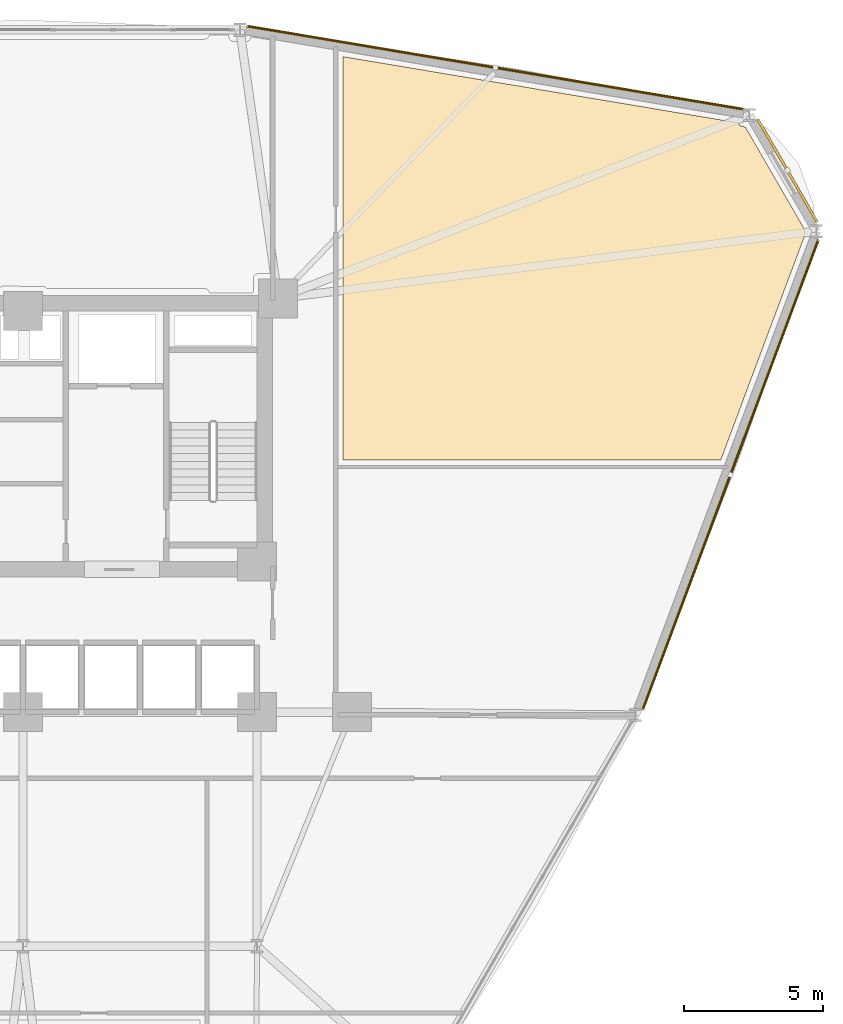
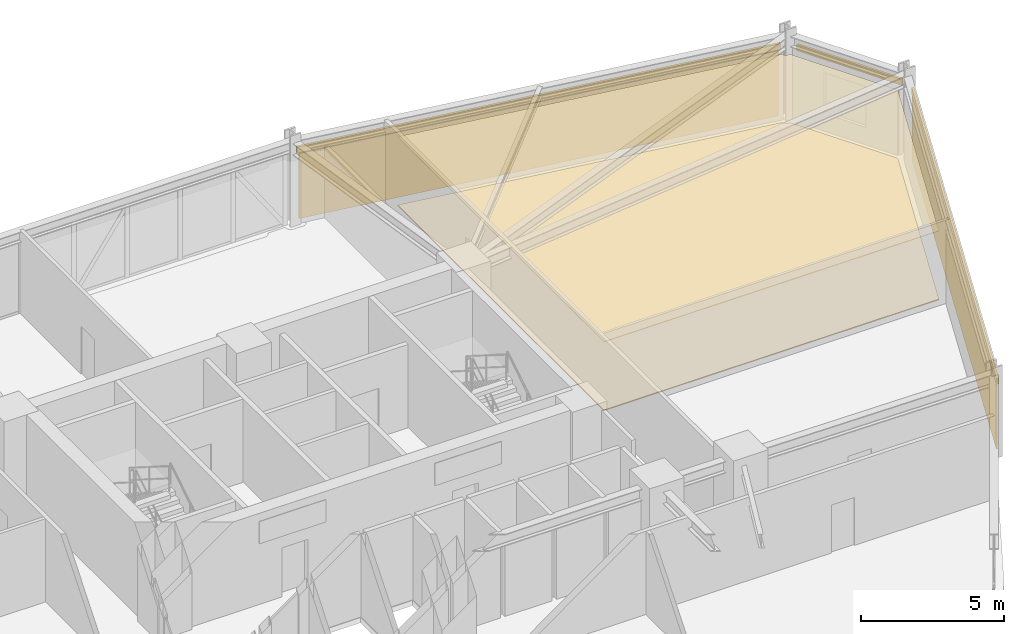
# One storey, part 22 of 22: 4 coverings, 3 shading devices.
"""IFC4 building model written with IfcOpenShell, lengths in metres."""

from ifc_helpers import new_model, si_unit, derived_unit, direction, frame, origin, origin_2d, place, context, subcontext, project, spatial, polyline, hollow_rectangle, outline, extrude, source, transform, mapped, material, layer, layer_set, material_profile, profile_set, type_object, element, save


model = new_model("IFC4")

# Units and contexts
model_context = context("Model", 3, precision=1e-05, world=origin(), true_north=direction((0.0, 1.0)))
body_context = subcontext(model_context, "Body", "Model", "MODEL_VIEW")
ifc_project = project(units=[si_unit("LENGTHUNIT", "METRE"), si_unit("AREAUNIT", "SQUARE_METRE"), si_unit("VOLUMEUNIT", "CUBIC_METRE"), si_unit("PLANEANGLEUNIT", "RADIAN"), si_unit("MASSUNIT", "GRAM", prefix="KILO"), derived_unit("THERMALTRANSMITTANCEUNIT", [(si_unit("POWERUNIT", "WATT"), 1), (si_unit("LENGTHUNIT", "METRE"), -2), (si_unit("THERMODYNAMICTEMPERATUREUNIT", "KELVIN"), -1)])], contexts=[model_context])

# Site, building, storey
site_placement = place(None, origin())
site = spatial("IfcSite", under=ifc_project, at=site_placement, CompositionType="ELEMENT")
building_placement = place(site_placement, origin())
building = spatial("IfcBuilding", under=site, at=building_placement, Name="Korsvarv Bourse and Concert Hall", CompositionType="ELEMENT")
storey_placement = place(building_placement, frame((0.0, 0.0, 55.199951171875)))
storey = spatial("IfcBuildingStorey", under=building, at=storey_placement, Name="L13", CompositionType="ELEMENT", Elevation=55.199951171875)

# Coverings
ifc_material_1 = material(Name="Perforated mineral-wool and birch acoustic baffle ceiling", Category="wood")
ifc_layer_1 = layer(ifc_material_1, 0.02490234375)
ifc_layer_set_1 = layer_set([ifc_layer_1], Name="Perforated mineral-wool and birch acoustic baffle ceiling")
covering_type_1 = type_object("IfcCoveringType", Name="COV-CEIL-1", PredefinedType="CEILING", material=ifc_layer_set_1)
covering_1_placement = place(storey_placement, frame((0.0, 0.0, 2.93994140625)))
element("IfcCovering", 1, at=covering_1_placement, inside=storey, type_object=covering_type_1, Name="L13 acoustic baffle ceiling 1", PredefinedType="CEILING", context=body_context, shape_type="SweptSolid", body=[
    extrude(outline(polyline([(47.47998046875, 55.92626953125), (61.672119140625, 53.55029296875), (61.681640625, 53.520751953125), (61.69921875, 53.489013671875), (61.722900390625, 53.46142578125), (61.75146484375, 53.439208984375), (61.783935546875, 53.4228515625), (61.819091796875, 53.413818359375), (61.919921875, 53.4072265625), (64.072509765625, 49.6787109375), (64.072509765625, 49.55810546875), (61.041748046875, 41.449951171875), (47.47998046875, 41.449951171875), (47.47998046875, 55.92626953125)])), origin(), (0.0, 0.0, 1.0), 0.025146484375),
])
ifc_material_2 = material(Name="Warm iron-oxide extruded terracotta rainscreen tile", Category="ceramic")
ifc_layer_2 = layer(ifc_material_2, 0.044921875)
ifc_layer_set_2 = layer_set([ifc_layer_2], Name="Warm iron-oxide extruded terracotta rainscreen tile")
covering_type_2 = type_object("IfcCoveringType", Name="COV-CLD-TC", PredefinedType="CLADDING", material=ifc_layer_set_2)
covering_2_placement = place(storey_placement, origin())
element("IfcCovering", 2, at=covering_2_placement, inside=storey, type_object=covering_type_2, Name="L13 fluted terracotta cladding panel EW-L13-B02", PredefinedType="CLADDING", context=body_context, shape_type="SweptSolid", body=[
    extrude(outline(polyline([(61.795654296875, 54.01123046875), (44.102783203125, 56.97314453125), (44.1103515625, 57.017578125), (61.802978515625, 54.055419921875), (61.795654296875, 54.01123046875)])), origin(), (0.0, 0.0, 1.0), 2.7900390625),
])
covering_3_placement = place(storey_placement, origin())
element("IfcCovering", 3, at=covering_3_placement, inside=storey, type_object=covering_type_2, Name="L13 fluted terracotta cladding panel EW-L13-B12", PredefinedType="CLADDING", context=body_context, shape_type="SweptSolid", body=[
    extrude(outline(polyline([(58.228271484375, 32.566650390625), (64.482421875, 49.298095703125), (64.524658203125, 49.282470703125), (58.270263671875, 32.55078125), (58.228271484375, 32.566650390625)])), origin(), (0.0, 0.0, 1.0), 2.7900390625),
])
ifc_material_3 = material(Name="Calcium-sulphate raised access trading floor with Nordic oak top", Category="wood")
ifc_layer_3 = layer(ifc_material_3, 0.0400390625)
ifc_layer_set_3 = layer_set([ifc_layer_3], Name="Calcium-sulphate raised access trading floor with Nordic oak top")
covering_type_3 = type_object("IfcCoveringType", Name="COV-FLOR-1", PredefinedType="FLOORING", material=ifc_layer_set_3)
covering_4_placement = place(storey_placement, origin())
element("IfcCovering", 4, at=covering_4_placement, inside=storey, type_object=covering_type_3, Name="L13 raised access oak floor finish 1", PredefinedType="FLOORING", context=body_context, shape_type="SweptSolid", body=[
    extrude(outline(polyline([(47.47998046875, 55.92626953125), (61.672119140625, 53.55029296875), (61.681640625, 53.520751953125), (61.69921875, 53.489013671875), (61.722900390625, 53.46142578125), (61.75146484375, 53.439208984375), (61.783935546875, 53.4228515625), (61.819091796875, 53.413818359375), (61.919921875, 53.4072265625), (64.072509765625, 49.6787109375), (64.072509765625, 49.55810546875), (61.041748046875, 41.449951171875), (47.47998046875, 41.449951171875), (47.47998046875, 55.92626953125)])), origin(), (0.0, 0.0, 1.0), 0.0400390625),
])

# Shading devices
ifc_material_4 = material(Name="Glazed extruded architectural terracotta", Category="ceramic")
ifc_material_profile = material_profile(ifc_material_4, hollow_rectangle(XDim=0.090087890625, YDim=0.260009765625, WallThickness=0.011962890625, at=origin_2d()), Name="TC-BAG 90x260")
ifc_profile_set = profile_set([ifc_material_profile], Name="Glazed extruded architectural terracotta")
shading_device_type = type_object("IfcShadingDeviceType", Name="SHD-BAG-1", PredefinedType="USERDEFINED", material=ifc_profile_set)
shared_shape_1 = source(origin(), body_context, "Body", "SweptSolid", [
    extrude(hollow_rectangle(XDim=0.090087890625, YDim=0.260009765625, WallThickness=0.011962890625, at=origin_2d()), origin(), (0.0, 0.0, 1.0), 4.251708984375),
])
shading_device_1_placement = place(storey_placement, frame((64.4951171875, 49.996826171875, 2.949951171875), z_axis=(-0.500017365573, 0.866015377534, 0.0), x_axis=(-0.866015377534, -0.500017365573, 0.0)))
element("IfcShadingDevice", 5, at=shading_device_1_placement, inside=storey, type_object=shading_device_type, Name="L13 terracotta baguette sunshade EW-L13-B01", ObjectType="BAGUETTE", PredefinedType="USERDEFINED", context=body_context, shape_type="MappedRepresentation", body=[
    mapped(shared_shape_1, transform((0.0, 0.0, 0.0), scale=1.0)),
])
shared_shape_2 = source(origin(), body_context, "Body", "SweptSolid", [
    extrude(hollow_rectangle(XDim=0.090087890625, YDim=0.260009765625, WallThickness=0.011962890625, at=origin_2d()), origin(), (0.0, 0.0, 1.0), 18.09912109375),
])
shading_device_2_placement = place(storey_placement, frame((61.881103515625, 54.037353515625, 2.949951171875), z_axis=(-0.986273350987, 0.165120795577, 0.0), x_axis=(-0.165120795577, -0.986273350987, 0.0)))
element("IfcShadingDevice", 6, at=shading_device_2_placement, inside=storey, type_object=shading_device_type, Name="L13 terracotta baguette sunshade EW-L13-B02", ObjectType="BAGUETTE", PredefinedType="USERDEFINED", context=body_context, shape_type="MappedRepresentation", body=[
    mapped(shared_shape_2, transform((0.0, 0.0, 0.0), scale=1.0)),
])
shared_shape_3 = source(origin(), body_context, "Body", "SweptSolid", [
    extrude(hollow_rectangle(XDim=0.090087890625, YDim=0.260009765625, WallThickness=0.011962890625, at=origin_2d()), origin(), (0.0, 0.0, 1.0), 18.022216796875),
])
shading_device_3_placement = place(storey_placement, frame((58.237548828125, 32.477783203125, 2.949951171875), z_axis=(0.350152351757, 0.936692762094, 0.0), x_axis=(-0.936692762094, 0.350152351757, 0.0)))
element("IfcShadingDevice", 7, at=shading_device_3_placement, inside=storey, type_object=shading_device_type, Name="L13 terracotta baguette sunshade EW-L13-B12", ObjectType="BAGUETTE", PredefinedType="USERDEFINED", context=body_context, shape_type="MappedRepresentation", body=[
    mapped(shared_shape_3, transform((0.0, 0.0, 0.0), scale=1.0)),
])

save(model, "model.ifc")
